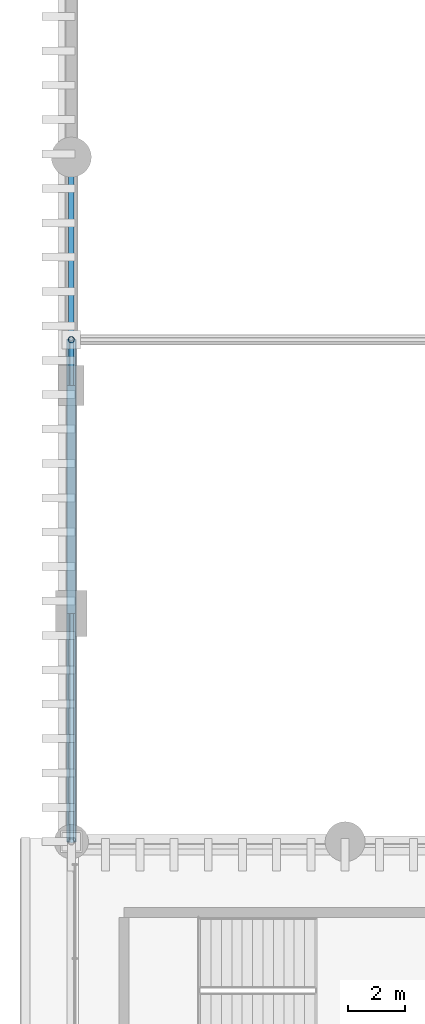
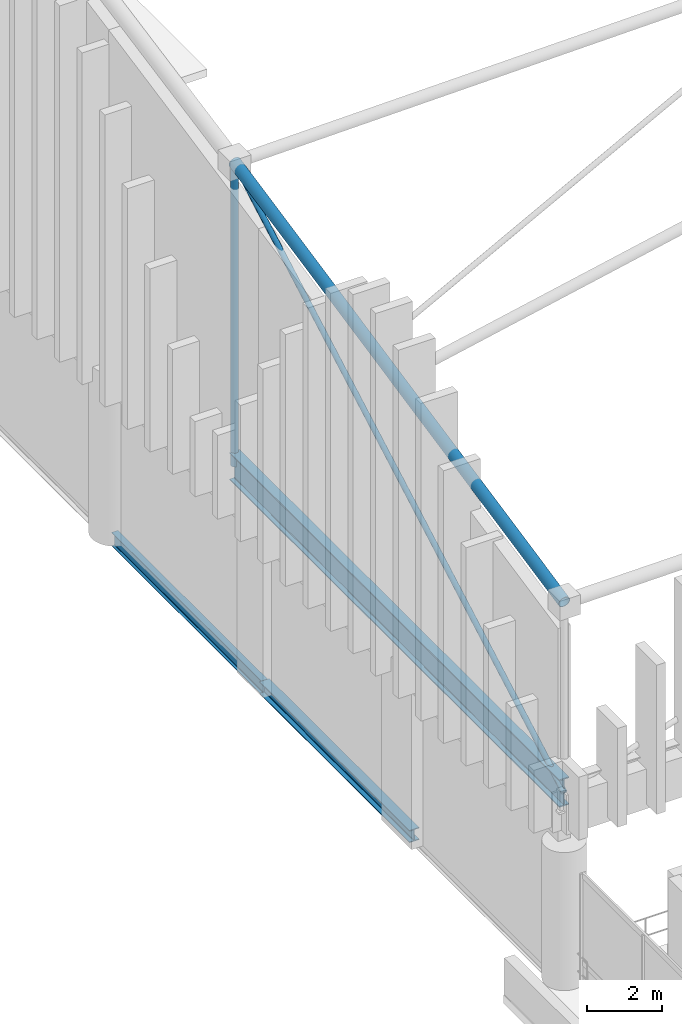
# One storey, part 48 of 193: 3 beams, 3 members.
"""IFC4 building model written with IfcOpenShell, lengths in metres."""

from ifc_helpers import new_model, si_unit, direction, frame, origin, origin_2d, place, context, subcontext, project, spatial, hollow_circle, i_section, extrude, material, material_profile, profile_set, type_object, element, save


model = new_model("IFC4")

# Units and contexts
model_context = context("Model", 3, precision=1e-05, world=origin(), true_north=direction((0.0, 1.0)))
body_context = subcontext(model_context, "Body", "Model", "MODEL_VIEW")
ifc_project = project(units=[si_unit("LENGTHUNIT", "METRE"), si_unit("AREAUNIT", "SQUARE_METRE"), si_unit("VOLUMEUNIT", "CUBIC_METRE"), si_unit("PLANEANGLEUNIT", "RADIAN"), si_unit("MASSUNIT", "GRAM", prefix="KILO")], contexts=[model_context])

# Site, building, storey
site_placement = place(None, origin())
site = spatial("IfcSite", under=ifc_project, at=site_placement, CompositionType="ELEMENT")
building_placement = place(site_placement, origin())
building = spatial("IfcBuilding", under=site, at=building_placement, Name="Danafjord Basin Convention Centre", CompositionType="ELEMENT")
storey_placement = place(building_placement, frame((0.0, 0.0, 11.39990234375)))
storey = spatial("IfcBuildingStorey", under=building, at=storey_placement, Name="L02", CompositionType="ELEMENT", Elevation=11.39990234375)

# Beams
ifc_material = material(Name="Steel S355", Category="steel")
ifc_material_profile_1 = material_profile(ifc_material, i_section(OverallWidth=0.300048828125, OverallDepth=0.89990234375, WebThickness=0.0185546875, FlangeThickness=0.034912109375, FilletRadius=0.030029296875, at=origin_2d()), Name="HEB 900")
ifc_profile_set_1 = profile_set([ifc_material_profile_1], Name="Steel S355")
beam_type_1 = type_object("IfcBeamType", Name="BEAM-BM-HEB900", PredefinedType="BEAM", material=ifc_profile_set_1)
beam_1_placement = place(storey_placement, frame((0.0, 56.0, 6.050048828125), z_axis=(0.0, 1.0, 0.0), x_axis=(-1.0, 0.0, 0.0)))
element("IfcBeam", 1, at=beam_1_placement, inside=storey, type_object=beam_type_1, Name="V1 space-frame perimeter ring girder", PredefinedType="BEAM", context=body_context, shape_type="SweptSolid", body=[
    extrude(i_section(OverallWidth=0.300048828125, OverallDepth=0.89990234375, WebThickness=0.0185546875, FlangeThickness=0.034912109375, FilletRadius=0.030029296875, at=origin_2d()), origin(), (0.0, 0.0, 1.0), 17.60009765625),
])
ifc_material_profile_2 = material_profile(ifc_material, i_section(OverallWidth=0.300048828125, OverallDepth=0.39990234375, WebThickness=0.013427734375, FlangeThickness=0.02392578125, FilletRadius=0.027099609375, at=origin_2d()), Name="HEB 400")
ifc_profile_set_2 = profile_set([ifc_material_profile_2], Name="Steel S355")
beam_type_2 = type_object("IfcBeamType", Name="BEAM-SP-HEB400", PredefinedType="SPANDREL", material=ifc_profile_set_2)
beam_2_placement = place(storey_placement, frame((0.0, 64.0, -0.199951171875), z_axis=(0.0, 1.0, 0.0), x_axis=(-1.0, 0.0, 0.0)))
element("IfcBeam", 2, at=beam_2_placement, inside=storey, type_object=beam_type_2, Name="L02 transverse girder SP-HEB400", PredefinedType="SPANDREL", context=body_context, shape_type="SweptSolid", body=[
    extrude(i_section(OverallWidth=0.300048828125, OverallDepth=0.39990234375, WebThickness=0.013427734375, FlangeThickness=0.02392578125, FilletRadius=0.027099609375, at=origin_2d()), origin(), (0.0, 0.0, 1.0), 8.0),
])
ifc_material_profile_3 = material_profile(ifc_material, i_section(OverallWidth=0.18994140625, OverallDepth=0.449951171875, WebThickness=0.009521484375, FlangeThickness=0.0146484375, FilletRadius=0.02099609375, at=origin_2d()), Name="IPE 450")
ifc_profile_set_3 = profile_set([ifc_material_profile_3], Name="Steel S355")
beam_type_3 = type_object("IfcBeamType", Name="BEAM-SP-IPE450", PredefinedType="SPANDREL", material=ifc_profile_set_3)
beam_3_placement = place(storey_placement, frame((0.0, 72.0, -0.224853515625), z_axis=(0.0, 1.0, 0.0), x_axis=(-1.0, 0.0, 0.0)))
element("IfcBeam", 3, at=beam_3_placement, inside=storey, type_object=beam_type_3, Name="L02 transverse girder SP-IPE450", PredefinedType="SPANDREL", context=body_context, shape_type="SweptSolid", body=[
    extrude(i_section(OverallWidth=0.18994140625, OverallDepth=0.449951171875, WebThickness=0.009521484375, FlangeThickness=0.0146484375, FilletRadius=0.02099609375, at=origin_2d()), origin(), (0.0, 0.0, 1.0), 8.0),
])

# Members
ifc_material_profile_4 = material_profile(ifc_material, hollow_circle(Radius=0.177734375, WallThickness=0.01611328125, at=origin_2d()), Name="CHS 355.6x16.0")
ifc_profile_set_4 = profile_set([ifc_material_profile_4], Name="Steel S355")
member_type_1 = type_object("IfcMemberType", Name="MEM-CH-CHS355", PredefinedType="CHORD", material=ifc_profile_set_4)
member_1_placement = place(storey_placement, frame((0.0, 56.0, 12.25), z_axis=(0.0, 0.979044772718, 0.203645115368), x_axis=(-1.0, 0.0, 0.0)))
element("IfcMember", 4, at=member_1_placement, inside=storey, type_object=member_type_1, Name="V1 roof truss transverse top chord", PredefinedType="CHORD", context=body_context, shape_type="SweptSolid", body=[
    extrude(hollow_circle(Radius=0.177734375, WallThickness=0.01611328125, at=origin_2d()), origin(), (0.0, 0.0, 1.0), 17.976806640625),
])
ifc_material_profile_5 = material_profile(ifc_material, hollow_circle(Radius=0.109619140625, WallThickness=0.010009765625, at=origin_2d()), Name="CHS 219.1x10.0")
ifc_profile_set_5 = profile_set([ifc_material_profile_5], Name="Steel S355")
member_type_2 = type_object("IfcMemberType", Name="MEM-ST-CHS219", PredefinedType="STRUT", material=ifc_profile_set_5)
member_2_placement = place(storey_placement, frame((0.0, 73.60009765625, 6.050048828125), z_axis=(0.0, 0.0, 1.0), x_axis=(1.0, 0.0, 0.0)))
element("IfcMember", 5, at=member_2_placement, inside=storey, type_object=member_type_2, Name="V1 roof truss vertical strut", PredefinedType="STRUT", context=body_context, shape_type="SweptSolid", body=[
    extrude(hollow_circle(Radius=0.109619140625, WallThickness=0.010009765625, at=origin_2d()), origin(), (0.0, 0.0, 1.0), 9.86083984375),
])
ifc_material_profile_6 = material_profile(ifc_material, hollow_circle(Radius=0.084228515625, WallThickness=0.008056640625, at=origin_2d()), Name="CHS 168.3x8.0")
ifc_profile_set_6 = profile_set([ifc_material_profile_6], Name="Steel S355")
member_type_3 = type_object("IfcMemberType", Name="MEM-WB-CHS168", PredefinedType="MEMBER", material=ifc_profile_set_6)
member_3_placement = place(storey_placement, frame((0.0, 56.0, 6.050048828125), z_axis=(0.0, 0.872404880302, 0.488783924475), x_axis=(-1.0, 0.0, 0.0)))
element("IfcMember", 6, at=member_3_placement, inside=storey, type_object=member_type_3, Name="V1 space-frame transverse web", PredefinedType="MEMBER", context=body_context, shape_type="SweptSolid", body=[
    extrude(hollow_circle(Radius=0.084228515625, WallThickness=0.008056640625, at=origin_2d()), origin(), (0.0, 0.0, 1.0), 20.17431640625),
])

save(model, "model.ifc")
